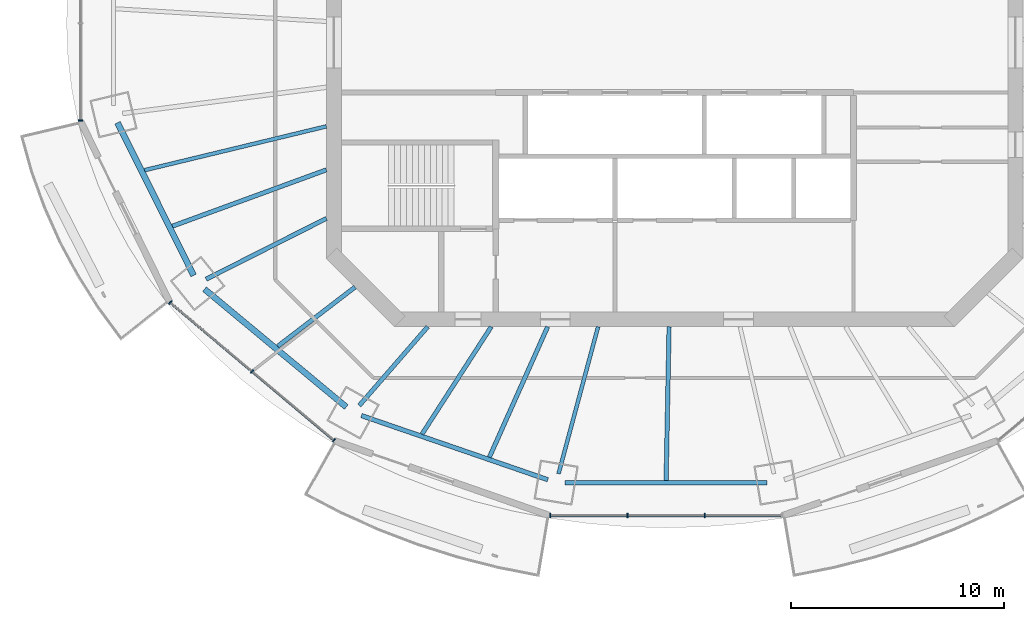
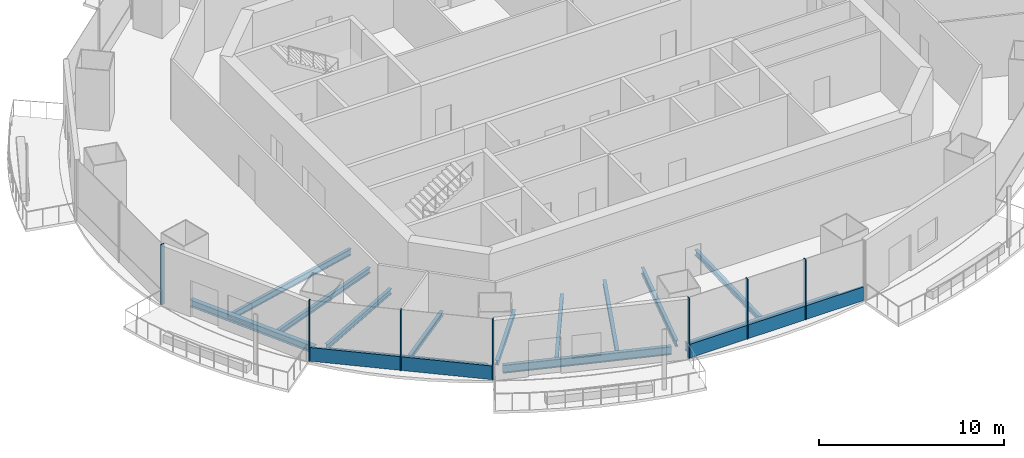
# One storey, part 2 of 16: 13 beams, 9 members, 3 elements without a shape of their own.
"""IFC4 building model written with IfcOpenShell, lengths in metres."""

from ifc_helpers import new_model, si_unit, direction, frame, origin, origin_2d, place, context, subcontext, project, spatial, rectangle, i_section, extrude, material, material_profile, profile_set, type_object, element, aggregate, save


model = new_model("IFC4")

# Units and contexts
model_context = context("Model", 3, precision=1e-05, world=origin(), true_north=direction((0.0, 1.0)))
body_context = subcontext(model_context, "Body", "Model", "MODEL_VIEW")
ifc_project = project(units=[si_unit("LENGTHUNIT", "METRE"), si_unit("AREAUNIT", "SQUARE_METRE"), si_unit("VOLUMEUNIT", "CUBIC_METRE"), si_unit("PLANEANGLEUNIT", "RADIAN"), si_unit("MASSUNIT", "GRAM", prefix="KILO")], contexts=[model_context])

# Site, building, storey
site_placement = place(None, origin())
site = spatial("IfcSite", under=ifc_project, at=site_placement, CompositionType="ELEMENT")
building_placement = place(site_placement, origin())
building = spatial("IfcBuilding", under=site, at=building_placement, Name="Marenthal Gate Tower", CompositionType="ELEMENT")
storey_placement = place(building_placement, frame((0.0, 0.0, 309.39990234375)))
storey = spatial("IfcBuildingStorey", under=building, at=storey_placement, Name="L69", CompositionType="ELEMENT", Elevation=309.39990234375)

# Curtain wall, member
ifc_material_1 = material(Name="Aluminium and glass", Category="aluminium")
curtain_wall_type = type_object("IfcCurtainWallType", Name="Curtain wall typical high", PredefinedType="NOTDEFINED", material=ifc_material_1)
curtain_wall_1_placement = place(storey_placement, origin())
curtain_wall_1 = element("IfcCurtainWall", 1, at=curtain_wall_1_placement, inside=storey, type_object=curtain_wall_type, Name="Curtain wall L69 bay 8", PredefinedType="NOTDEFINED")
ifc_material_2 = material(Name="Aluminium", Category="aluminium")
ifc_material_profile_1 = material_profile(ifc_material_2, rectangle(XDim=0.199951171875, YDim=0.06005859375, at=origin_2d()), Name="60x200 aluminium mullion")
ifc_profile_set_1 = profile_set([ifc_material_profile_1], Name="Aluminium")
member_type_1 = type_object("IfcMemberType", Name="Mullion 60x200 typical high", PredefinedType="MULLION", material=ifc_profile_set_1)
member_1_placement = place(storey_placement, frame((-27.895263671875, -3.668701171875, 0.0), z_axis=(0.0, 0.0, 1.0), x_axis=(1.0, 0.0, 0.0)))
member_1 = element("IfcMember", 2, at=member_1_placement, type_object=member_type_1, Name="Mullion L69 bay 8.3", PredefinedType="MULLION", context=body_context, shape_type="SweptSolid", body=[
    extrude(rectangle(XDim=0.199951171875, YDim=0.06005859375, at=origin_2d()), origin(), (0.0, 0.0, 1.0), 3.97021484375),
])
aggregate(curtain_wall_1, [member_1])

# Curtain wall, members
curtain_wall_2_placement = place(storey_placement, origin())
curtain_wall_2 = element("IfcCurtainWall", 3, at=curtain_wall_2_placement, inside=storey, type_object=curtain_wall_type, Name="Curtain wall L69 bay 10", PredefinedType="NOTDEFINED")
member_2_placement = place(storey_placement, frame((-23.6865234375, -12.215087890625, 0.0), z_axis=(0.0, 0.0, 1.0), x_axis=(0.643570293048, 0.765387011848, 0.0)))
member_2 = element("IfcMember", 4, at=member_2_placement, type_object=member_type_1, Name="Mullion L69 bay 10.1", PredefinedType="MULLION", context=body_context, shape_type="SweptSolid", body=[
    extrude(rectangle(XDim=0.199951171875, YDim=0.06005859375, at=origin_2d()), origin(), (0.0, 0.0, 1.0), 3.97021484375),
])
member_3_placement = place(storey_placement, frame((-19.842041015625, -15.44775390625, 0.0), z_axis=(0.0, 0.0, 1.0), x_axis=(0.643570293048, 0.765387011848, 0.0)))
member_3 = element("IfcMember", 5, at=member_3_placement, type_object=member_type_1, Name="Mullion L69 bay 10.2", PredefinedType="MULLION", context=body_context, shape_type="SweptSolid", body=[
    extrude(rectangle(XDim=0.199951171875, YDim=0.06005859375, at=origin_2d()), origin(), (0.0, 0.0, 1.0), 3.97021484375),
])
member_4_placement = place(storey_placement, frame((-15.997802734375, -18.68017578125, 0.0), z_axis=(0.0, 0.0, 1.0), x_axis=(0.643570293048, 0.765387011848, 0.0)))
member_4 = element("IfcMember", 6, at=member_4_placement, type_object=member_type_1, Name="Mullion L69 bay 10.3", PredefinedType="MULLION", context=body_context, shape_type="SweptSolid", body=[
    extrude(rectangle(XDim=0.199951171875, YDim=0.06005859375, at=origin_2d()), origin(), (0.0, 0.0, 1.0), 3.97021484375),
])

curtain_wall_3_placement = place(storey_placement, origin())
curtain_wall_3 = element("IfcCurtainWall", 7, at=curtain_wall_3_placement, inside=storey, type_object=curtain_wall_type, Name="Curtain wall L69 bay 12", PredefinedType="NOTDEFINED")
member_5_placement = place(storey_placement, frame((-5.839111328125, -22.218994140625, 0.0), z_axis=(0.0, 0.0, 1.0), x_axis=(0.0, 1.0, 0.0)))
member_5 = element("IfcMember", 8, at=member_5_placement, type_object=member_type_1, Name="Mullion L69 bay 12.1", PredefinedType="MULLION", context=body_context, shape_type="SweptSolid", body=[
    extrude(rectangle(XDim=0.199951171875, YDim=0.06005859375, at=origin_2d()), origin(), (0.0, 0.0, 1.0), 3.97021484375),
])
member_6_placement = place(storey_placement, frame((-2.213134765625, -22.218994140625, 0.0), z_axis=(0.0, 0.0, 1.0), x_axis=(0.0, 1.0, 0.0)))
member_6 = element("IfcMember", 9, at=member_6_placement, type_object=member_type_1, Name="Mullion L69 bay 12.2", PredefinedType="MULLION", context=body_context, shape_type="SweptSolid", body=[
    extrude(rectangle(XDim=0.199951171875, YDim=0.06005859375, at=origin_2d()), origin(), (0.0, 0.0, 1.0), 3.97021484375),
])
member_7_placement = place(storey_placement, frame((1.4130859375, -22.218994140625, 0.0), z_axis=(0.0, 0.0, 1.0), x_axis=(0.0, 1.0, 0.0)))
member_7 = element("IfcMember", 10, at=member_7_placement, type_object=member_type_1, Name="Mullion L69 bay 12.3", PredefinedType="MULLION", context=body_context, shape_type="SweptSolid", body=[
    extrude(rectangle(XDim=0.199951171875, YDim=0.06005859375, at=origin_2d()), origin(), (0.0, 0.0, 1.0), 3.97021484375),
])

# Member
ifc_material_3 = material(Name="Aluminium", Category="aluminium")
ifc_material_profile_2 = material_profile(ifc_material_3, rectangle(XDim=0.1201171875, YDim=0.89990234375, at=origin_2d()), Name="120x900 aluminium transom")
ifc_profile_set_2 = profile_set([ifc_material_profile_2], Name="Aluminium")
member_type_2 = type_object("IfcMemberType", Name="Transom 120x900 typical high", PredefinedType="USERDEFINED", material=ifc_profile_set_2)
member_8_placement = place(storey_placement, frame((-23.66357421875, -12.234619140625, 0.4501953125), z_axis=(0.765406153231, -0.643547527845, 0.0), x_axis=(0.643547527845, 0.765406153231, 0.0)))
member_8 = element("IfcMember", 11, at=member_8_placement, type_object=member_type_2, Name="Transom L69 bay 10", ObjectType="TRANSOM", PredefinedType="USERDEFINED", context=body_context, shape_type="SweptSolid", body=[
    extrude(rectangle(XDim=0.1201171875, YDim=0.89990234375, at=origin_2d()), origin(), (0.0, 0.0, 1.0), 9.9853515625),
])

aggregate(curtain_wall_2, [member_2, member_3, member_4, member_8])

member_9_placement = place(storey_placement, frame((-5.80908203125, -22.218994140625, 0.4501953125), z_axis=(1.0, 0.0, 0.0), x_axis=(0.0, 1.0, 0.0)))
member_9 = element("IfcMember", 12, at=member_9_placement, type_object=member_type_2, Name="Transom L69 bay 12", ObjectType="TRANSOM", PredefinedType="USERDEFINED", context=body_context, shape_type="SweptSolid", body=[
    extrude(rectangle(XDim=0.1201171875, YDim=0.89990234375, at=origin_2d()), origin(), (0.0, 0.0, 1.0), 10.818359375),
])

aggregate(curtain_wall_3, [member_5, member_6, member_7, member_9])

# Beams
ifc_material_4 = material(Name="Steel S355", Category="steel")
ifc_material_profile_3 = material_profile(ifc_material_4, i_section(OverallWidth=0.202880859375, OverallDepth=0.302001953125, WebThickness=0.007568359375, FlangeThickness=0.01318359375, FilletRadius=0.0126953125, at=origin_2d()), Name="W310X60")
ifc_profile_set_3 = profile_set([ifc_material_profile_3], Name="Steel S355")
beam_type_1 = type_object("IfcBeamType", Name="W310X60 beam", PredefinedType="BEAM", material=ifc_profile_set_3)
beam_1_placement = place(storey_placement, frame((-18.6328125, -14.264892578125, -0.330810546875), z_axis=(0.794020874195, 0.607890492887, 0.0), x_axis=(-0.607890492887, 0.794020874195, 0.0)))
element("IfcBeam", 13, at=beam_1_placement, inside=storey, type_object=beam_type_1, Name="BM-L69-31", PredefinedType="BEAM", context=body_context, shape_type="SweptSolid", body=[
    extrude(i_section(OverallWidth=0.202880859375, OverallDepth=0.302001953125, WebThickness=0.007568359375, FlangeThickness=0.01318359375, FilletRadius=0.0126953125, at=origin_2d()), origin(), (0.0, 0.0, 1.0), 4.567138671875),
])
beam_2_placement = place(storey_placement, frame((-11.859130859375, -18.388427734375, -0.330810546875), z_axis=(0.542006284821, 0.840374432747, 0.0), x_axis=(-0.840374432747, 0.542006284821, 0.0)))
element("IfcBeam", 14, at=beam_2_placement, inside=storey, type_object=beam_type_1, Name="BM-L69-32", PredefinedType="BEAM", context=body_context, shape_type="SweptSolid", body=[
    extrude(i_section(OverallWidth=0.202880859375, OverallDepth=0.302001953125, WebThickness=0.007568359375, FlangeThickness=0.01318359375, FilletRadius=0.0126953125, at=origin_2d()), origin(), (0.0, 0.0, 1.0), 5.995361328125),
])
ifc_material_5 = material(Name="Steel S355", Category="steel")
ifc_material_profile_4 = material_profile(ifc_material_5, i_section(OverallWidth=0.205078125, OverallDepth=0.31005859375, WebThickness=0.009521484375, FlangeThickness=0.016357421875, FilletRadius=0.0126953125, at=origin_2d()), Name="W310X74")
ifc_profile_set_4 = profile_set([ifc_material_profile_4], Name="Steel S355")
beam_type_2 = type_object("IfcBeamType", Name="W310X74 beam", PredefinedType="BEAM", material=ifc_profile_set_4)
beam_3_placement = place(storey_placement, frame((-14.80517578125, -17.04931640625, -0.3349609375), z_axis=(0.655706091283, 0.755016239464, 0.0), x_axis=(-0.755016239464, 0.655706091283, 0.0)))
element("IfcBeam", 15, at=beam_3_placement, inside=storey, type_object=beam_type_2, Name="BM-L69-11", PredefinedType="BEAM", context=body_context, shape_type="SweptSolid", body=[
    extrude(i_section(OverallWidth=0.205078125, OverallDepth=0.31005859375, WebThickness=0.009521484375, FlangeThickness=0.016357421875, FilletRadius=0.0126953125, at=origin_2d()), origin(), (0.0, 0.0, 1.0), 4.8994140625),
])
beam_4_placement = place(storey_placement, frame((-8.6962890625, -19.477783203125, -0.3349609375), z_axis=(0.407683883714, 0.913123130229, 0.0), x_axis=(-0.913123130229, 0.407683883714, 0.0)))
element("IfcBeam", 16, at=beam_4_placement, inside=storey, type_object=beam_type_2, Name="BM-L69-33", PredefinedType="BEAM", context=body_context, shape_type="SweptSolid", body=[
    extrude(i_section(OverallWidth=0.205078125, OverallDepth=0.31005859375, WebThickness=0.009521484375, FlangeThickness=0.016357421875, FilletRadius=0.0126953125, at=origin_2d()), origin(), (0.0, 0.0, 1.0), 6.710693359375),
])
ifc_material_6 = material(Name="Steel S355", Category="steel")
ifc_material_profile_5 = material_profile(ifc_material_6, i_section(OverallWidth=0.205078125, OverallDepth=0.35302734375, WebThickness=0.009521484375, FlangeThickness=0.016845703125, FilletRadius=0.014892578125, at=origin_2d()), Name="W360X79")
ifc_profile_set_5 = profile_set([ifc_material_profile_5], Name="Steel S355")
beam_type_3 = type_object("IfcBeamType", Name="W360X79 beam", PredefinedType="BEAM", material=ifc_profile_set_5)
beam_5_placement = place(storey_placement, frame((-21.998046875, -11.1171875, -0.3564453125), z_axis=(0.892489913638, 0.451067349799, 0.0), x_axis=(-0.451067349799, 0.892489913638, 0.0)))
element("IfcBeam", 17, at=beam_5_placement, inside=storey, type_object=beam_type_3, Name="BM-L69-10", PredefinedType="BEAM", context=body_context, shape_type="SweptSolid", body=[
    extrude(i_section(OverallWidth=0.205078125, OverallDepth=0.35302734375, WebThickness=0.009521484375, FlangeThickness=0.016845703125, FilletRadius=0.014892578125, at=origin_2d()), origin(), (0.0, 0.0, 1.0), 6.328369140625),
])
beam_6_placement = place(storey_placement, frame((-23.58056640625, -8.627197265625, -0.3564453125), z_axis=(0.939124099885, 0.343578120687, 0.0), x_axis=(-0.343578120687, 0.939124099885, 0.0)))
element("IfcBeam", 18, at=beam_6_placement, inside=storey, type_object=beam_type_3, Name="BM-L69-30", PredefinedType="BEAM", context=body_context, shape_type="SweptSolid", body=[
    extrude(i_section(OverallWidth=0.205078125, OverallDepth=0.35302734375, WebThickness=0.009521484375, FlangeThickness=0.016845703125, FilletRadius=0.014892578125, at=origin_2d()), origin(), (0.0, 0.0, 1.0), 7.69921875),
])
beam_7_placement = place(storey_placement, frame((-0.39794921875, -20.5634765625, -0.3564453125), z_axis=(0.019356015655, 0.99981265478, 0.0), x_axis=(-0.99981265478, 0.019356015655, 0.0)))
element("IfcBeam", 19, at=beam_7_placement, inside=storey, type_object=beam_type_3, Name="BM-L69-34", PredefinedType="BEAM", context=body_context, shape_type="SweptSolid", body=[
    extrude(i_section(OverallWidth=0.205078125, OverallDepth=0.35302734375, WebThickness=0.009521484375, FlangeThickness=0.016845703125, FilletRadius=0.014892578125, at=origin_2d()), origin(), (0.0, 0.0, 1.0), 7.21484375),
])
ifc_material_7 = material(Name="Steel S355", Category="steel")
ifc_material_profile_6 = material_profile(ifc_material_7, i_section(OverallWidth=0.180908203125, OverallDepth=0.4169921875, WebThickness=0.010986328125, FlangeThickness=0.018310546875, FilletRadius=0.01025390625, at=origin_2d()), Name="W410X85")
ifc_profile_set_6 = profile_set([ifc_material_profile_6], Name="Steel S355")
beam_type_4 = type_object("IfcBeamType", Name="W410X85 beam", PredefinedType="BEAM", material=ifc_profile_set_6)
beam_8_placement = place(storey_placement, frame((-5.44921875, -20.254638671875, -0.388427734375), z_axis=(0.259778768314, 0.965668158082, 0.0), x_axis=(-0.965668158082, 0.259778768314, 0.0)))
element("IfcBeam", 20, at=beam_8_placement, inside=storey, type_object=beam_type_4, Name="BM-L69-12", PredefinedType="BEAM", context=body_context, shape_type="SweptSolid", body=[
    extrude(i_section(OverallWidth=0.180908203125, OverallDepth=0.4169921875, WebThickness=0.010986328125, FlangeThickness=0.018310546875, FilletRadius=0.01025390625, at=origin_2d()), origin(), (0.0, 0.0, 1.0), 7.14990234375),
])
beam_9_placement = place(storey_placement, frame((-24.889892578125, -5.99951171875, -0.388427734375), z_axis=(0.972153206596, 0.234346203094, 0.0), x_axis=(-0.234346203094, 0.972153206596, 0.0)))
element("IfcBeam", 21, at=beam_9_placement, inside=storey, type_object=beam_type_4, Name="BM-L69-29", PredefinedType="BEAM", context=body_context, shape_type="SweptSolid", body=[
    extrude(i_section(OverallWidth=0.180908203125, OverallDepth=0.4169921875, WebThickness=0.010986328125, FlangeThickness=0.018310546875, FilletRadius=0.01025390625, at=origin_2d()), origin(), (0.0, 0.0, 1.0), 8.784423828125),
])
ifc_material_8 = material(Name="Steel S355", Category="steel")
ifc_material_profile_7 = material_profile(ifc_material_8, i_section(OverallWidth=0.279052734375, OverallDepth=0.4619140625, WebThickness=0.0107421875, FlangeThickness=0.017333984375, FilletRadius=0.010009765625, at=origin_2d()), Name="W460X113")
ifc_profile_set_7 = profile_set([ifc_material_profile_7], Name="Steel S355")
beam_type_5 = type_object("IfcBeamType", Name="W460X113 beam", PredefinedType="BEAM", material=ifc_profile_set_7)
beam_10_placement = place(storey_placement, frame((-26.15673828125, -3.769775390625, -0.410888671875), z_axis=(0.445969956735, -0.895047930387, 0.0), x_axis=(0.895047930387, 0.445969956735, 0.0)))
element("IfcBeam", 22, at=beam_10_placement, inside=storey, type_object=beam_type_5, Name="BM-L69-49", PredefinedType="BEAM", context=body_context, shape_type="SweptSolid", body=[
    extrude(i_section(OverallWidth=0.279052734375, OverallDepth=0.4619140625, WebThickness=0.0107421875, FlangeThickness=0.017333984375, FilletRadius=0.010009765625, at=origin_2d()), origin(), (0.0, 0.0, 1.0), 8.01220703125),
])
beam_11_placement = place(storey_placement, frame((-22.073974609375, -11.585693359375, -0.410888671875), z_axis=(0.768976642978, -0.639276874722, 0.0), x_axis=(0.639276874722, 0.768976642978, 0.0)))
element("IfcBeam", 23, at=beam_11_placement, inside=storey, type_object=beam_type_5, Name="BM-L69-50", PredefinedType="BEAM", context=body_context, shape_type="SweptSolid", body=[
    extrude(i_section(OverallWidth=0.279052734375, OverallDepth=0.4619140625, WebThickness=0.0107421875, FlangeThickness=0.017333984375, FilletRadius=0.010009765625, at=origin_2d()), origin(), (0.0, 0.0, 1.0), 8.656982421875),
])
ifc_material_9 = material(Name="Steel S355", Category="steel")
ifc_material_profile_8 = material_profile(ifc_material_9, i_section(OverallWidth=0.2119140625, OverallDepth=0.5439453125, WebThickness=0.01318359375, FlangeThickness=0.021240234375, FilletRadius=0.0126953125, at=origin_2d()), Name="W530X123")
ifc_profile_set_8 = profile_set([ifc_material_profile_8], Name="Steel S355")
beam_type_6 = type_object("IfcBeamType", Name="W530X123 beam", PredefinedType="BEAM", material=ifc_profile_set_8)
beam_12_placement = place(storey_placement, frame((-14.705810546875, -17.5205078125, -0.451904296875), z_axis=(0.945520555147, -0.325562405377, 0.0), x_axis=(0.325562405377, 0.945520555147, 0.0)))
element("IfcBeam", 24, at=beam_12_placement, inside=storey, type_object=beam_type_6, Name="BM-L69-51", PredefinedType="BEAM", context=body_context, shape_type="SweptSolid", body=[
    extrude(i_section(OverallWidth=0.2119140625, OverallDepth=0.5439453125, WebThickness=0.01318359375, FlangeThickness=0.021240234375, FilletRadius=0.0126953125, at=origin_2d()), origin(), (0.0, 0.0, 1.0), 9.259033203125),
])
beam_13_placement = place(storey_placement, frame((-5.148681640625, -20.66943359375, -0.451904296875), z_axis=(1.0, 0.0, 0.0), x_axis=(0.0, 1.0, 0.0)))
element("IfcBeam", 25, at=beam_13_placement, inside=storey, type_object=beam_type_6, Name="BM-L69-52", PredefinedType="BEAM", context=body_context, shape_type="SweptSolid", body=[
    extrude(i_section(OverallWidth=0.2119140625, OverallDepth=0.5439453125, WebThickness=0.01318359375, FlangeThickness=0.021240234375, FilletRadius=0.0126953125, at=origin_2d()), origin(), (0.0, 0.0, 1.0), 9.497314453125),
])

save(model, "model.ifc")
